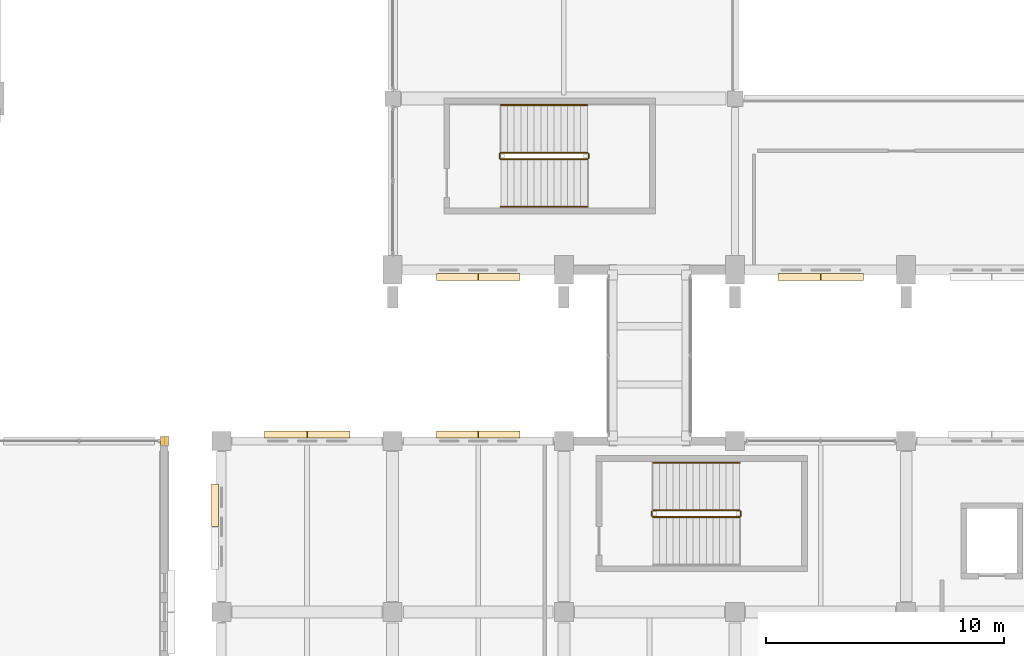
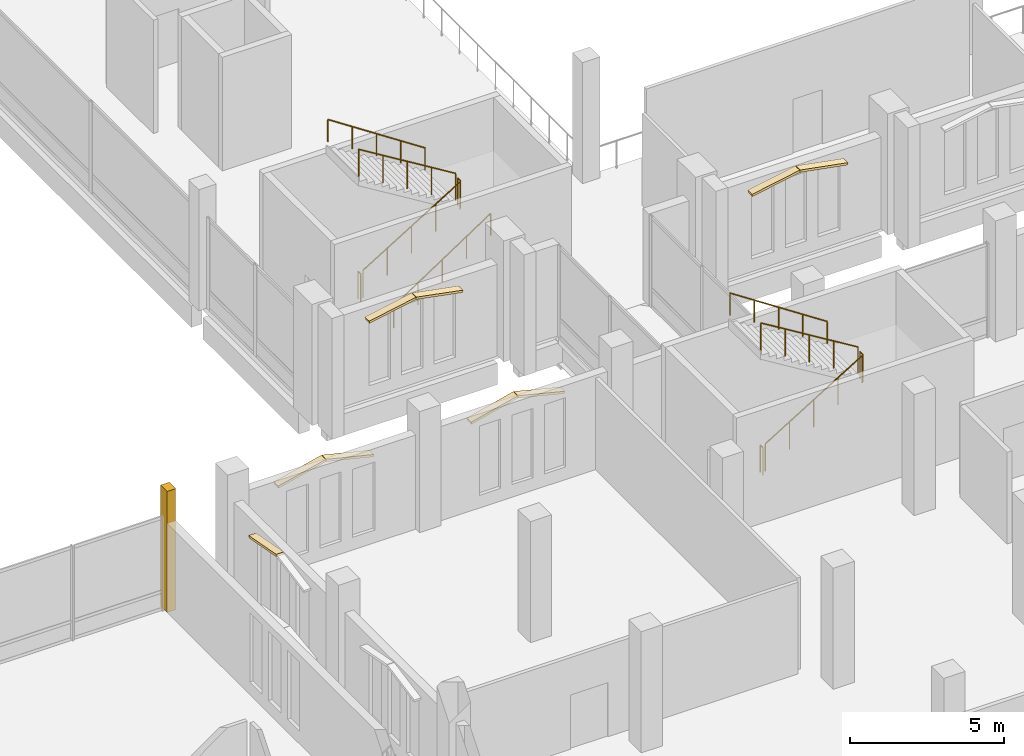
# One storey, part 206 of 220: 11 railings, 10 coverings.
"""IFC4 building model written with IfcOpenShell, lengths in metres."""

from ifc_helpers import new_model, si_unit, direction, frame, origin, origin_2d, place, context, subcontext, project, spatial, polyline, circle, outline, extrude, material, layer, layer_set, type_object, element, save


model = new_model("IFC4")

# Units and contexts
model_context = context("Model", 3, precision=1e-05, world=origin(), true_north=direction((0.0, 1.0)))
body_context = subcontext(model_context, "Body", "Model", "MODEL_VIEW")
ifc_project = project(units=[si_unit("LENGTHUNIT", "METRE"), si_unit("AREAUNIT", "SQUARE_METRE"), si_unit("VOLUMEUNIT", "CUBIC_METRE"), si_unit("PLANEANGLEUNIT", "RADIAN"), si_unit("MASSUNIT", "GRAM", prefix="KILO")], contexts=[model_context])

# Site, building, storey
site_placement = place(None, origin())
site = spatial("IfcSite", under=ifc_project, at=site_placement, CompositionType="ELEMENT")
building_placement = place(site_placement, origin())
building = spatial("IfcBuilding", under=site, at=building_placement, Name="Cendralis Lancet Convention Centre", CompositionType="ELEMENT")
storey_placement = place(building_placement, frame((0.0, 0.0, 5.39990234375)))
storey = spatial("IfcBuildingStorey", under=building, at=storey_placement, Name="L01", CompositionType="ELEMENT", Elevation=5.39990234375)

# Coverings
ifc_material_1 = material(Name="Warm buff sandstone chevron cassette", Category="masonry")
ifc_layer = layer(ifc_material_1, 0.06005859375, Name="Warm buff sandstone chevron cassette")
ifc_layer_set = layer_set([ifc_layer], Name="Warm buff sandstone chevron cassette")
covering_type = type_object("IfcCoveringType", Name="ARC-CV-CLAD1", PredefinedType="CLADDING", material=ifc_layer_set)
for number, where, z_axis, x_axis, name in (
    (1, (144.56005859375, 42.75, 3.27001953125), (0.187993527685, 0.0, 0.982170267086), (0.0, 1.0, 0.0), "L01 Gothic Pointed Lancet Hood-Mould #0101L"),
    (2, (142.7900390625, 42.75, 3.60498046875), (-0.187993527685, 0.0, 0.982170267086), (0.0, 1.0, 0.0), "L01 Gothic Pointed Lancet Hood-Mould #0102R"),
):
    element("IfcCovering", number, at=place(storey_placement, frame(where, z_axis=z_axis, x_axis=x_axis)), inside=storey, type_object=covering_type, Name=name, PredefinedType="CLADDING", context=body_context, shape_type="SweptSolid", body=[
        extrude(outline(polyline([(0.0, 0.0), (0.284912109375, 0.0), (0.284912109375, 1.7817684556784807), (0.0, 1.7817684556784807), (0.0, 0.0)])), origin(), (0.0, 0.0, -1.0), 0.090087890625),
    ])
for number, where, z_axis, x_axis, name in (
    (3, (159.0, 42.75, 3.27001953125), (0.183932374671, 0.0, 0.982938900211), (0.0, 1.0, 0.0), "L01 Gothic Pointed Lancet Hood-Mould #0103L"),
    (4, (157.18994140625, 42.75, 3.60498046875), (-0.183932374671, 0.0, 0.982938900211), (0.0, 1.0, 0.0), "L01 Gothic Pointed Lancet Hood-Mould #0104R"),
):
    element("IfcCovering", number, at=place(storey_placement, frame(where, z_axis=z_axis, x_axis=x_axis)), inside=storey, type_object=covering_type, Name=name, PredefinedType="CLADDING", context=body_context, shape_type="SweptSolid", body=[
        extrude(outline(polyline([(0.0, 0.0), (0.284912109375, 0.0), (0.284912109375, 1.8211091880847667), (0.0, 1.8211091880847667), (0.0, 0.0)])), origin(), (0.0, 0.0, -1.0), 0.090087890625),
    ])
covering_1_placement = place(storey_placement, frame((133.800048828125, 36.419921875, 3.27001953125), z_axis=(-0.236168957389, 0.0, 0.971712006495), x_axis=(0.0, -1.0, 0.0)))
element("IfcCovering", 5, at=covering_1_placement, inside=storey, type_object=covering_type, Name="L01 Gothic Pointed Lancet Hood-Mould #0323L", PredefinedType="CLADDING", context=body_context, shape_type="SweptSolid", body=[
    extrude(outline(polyline([(0.0, 0.0), (0.284912109375, 0.0), (0.284912109375, 1.8421497836146783), (0.0, 1.8421497836146783), (0.0, 0.0)])), origin(), (0.0, 0.0, -1.0), 0.090087890625),
])
covering_2_placement = place(storey_placement, frame((135.610107421875, 36.419921875, 3.705078125), z_axis=(0.236199375327, 0.0, 0.971704613087), x_axis=(0.0, -1.0, 0.0)))
element("IfcCovering", 6, at=covering_2_placement, inside=storey, type_object=covering_type, Name="L01 Gothic Pointed Lancet Hood-Mould #0324R", PredefinedType="CLADDING", context=body_context, shape_type="SweptSolid", body=[
    extrude(outline(polyline([(0.0, 0.0), (0.284912109375, 0.0), (0.284912109375, 1.84191255014055), (0.0, 1.84191255014055), (0.0, 0.0)])), origin(), (0.0, 0.0, -1.0), 0.090087890625),
])
for number, where, z_axis, x_axis, name in (
    (7, (141.0400390625, 36.419921875, 3.27001953125), (-0.241261177091, 0.0, 0.970460223002), (0.0, -1.0, 0.0), "L01 Gothic Pointed Lancet Hood-Mould #0325L"),
    (8, (142.81005859375, 36.419921875, 3.705078125), (0.241261177091, 0.0, 0.970460223002), (0.0, -1.0, 0.0), "L01 Gothic Pointed Lancet Hood-Mould #0326R"),
):
    element("IfcCovering", number, at=place(storey_placement, frame(where, z_axis=z_axis, x_axis=x_axis)), inside=storey, type_object=covering_type, Name=name, PredefinedType="CLADDING", context=body_context, shape_type="SweptSolid", body=[
        extrude(outline(polyline([(0.0, 0.0), (0.284912109375, 0.0), (0.284912109375, 1.803268138684796), (0.0, 1.803268138684796), (0.0, 0.0)])), origin(), (0.0, 0.0, -1.0), 0.090087890625),
    ])
covering_3_placement = place(storey_placement, frame((131.580078125, 32.409912109375, 3.60498046875), z_axis=(0.0, 0.183932374671, 0.982938900211), x_axis=(1.0, 0.0, 0.0)))
element("IfcCovering", 9, at=covering_3_placement, inside=storey, type_object=covering_type, Name="L01 Gothic Pointed Lancet Hood-Mould #0348R", PredefinedType="CLADDING", context=body_context, shape_type="SweptSolid", body=[
    extrude(outline(polyline([(0.0, 0.0), (0.284912109375, 0.0), (0.284912109375, 1.8211091880847667), (0.0, 1.8211091880847667), (0.0, 0.0)])), origin(), (0.0, 0.0, -1.0), 0.090087890625),
])
covering_4_placement = place(storey_placement, origin())
element("IfcCovering", 10, at=covering_4_placement, inside=storey, type_object=covering_type, Name="Exterior Column Stone Fire-Casing L01 #016", PredefinedType="CLADDING", context=body_context, shape_type="SweptSolid", body=[
    extrude(outline(polyline([(129.43798828125, 35.7880859375), (129.761962890625, 35.7880859375), (129.761962890625, 36.2119140625), (129.43798828125, 36.2119140625), (129.43798828125, 35.7880859375)])), origin(), (0.0, 0.0, 1.0), 4.800048828125),
])

# Railings
ifc_material_2 = material(Name="Steel S355", Category="steel")
railing_type_1 = type_object("IfcRailingType", Name="ARC-RL-CGD", PredefinedType="GUARDRAIL", material=ifc_material_2)
railing_1_placement = place(storey_placement, frame((143.75, 47.85009765625, 0.171630859375)))
element("IfcRailing", 11, at=railing_1_placement, inside=storey, type_object=railing_type_1, Name="L01 ST-08 stair guard 1", PredefinedType="GUARDRAIL", context=body_context, shape_type="SweptSolid", body=[
    extrude(circle(Radius=0.02392578125, at=origin_2d()), frame((0.0, 0.0, 1.076171875), z_axis=(0.852850264322, 0.0, 0.5221555579), x_axis=(0.0, 1.0, 0.0)), (0.0, 0.0, 1.0), 4.267822265625),
    extrude(circle(Radius=0.02099609375, at=origin_2d()), origin(), (0.0, 0.0, 1.0), 1.052001953125),
    extrude(circle(Radius=0.02099609375, at=origin_2d()), frame((0.909912109375, 0.0, 0.55712890625)), (0.0, 0.0, 1.0), 1.052001953125),
    extrude(circle(Radius=0.02099609375, at=origin_2d()), frame((1.81982421875, 0.0, 1.1142578125)), (0.0, 0.0, 1.0), 1.052001953125),
    extrude(circle(Radius=0.02099609375, at=origin_2d()), frame((2.72998046875, 0.0, 1.67138671875)), (0.0, 0.0, 1.0), 1.052001953125),
    extrude(circle(Radius=0.02099609375, at=origin_2d()), frame((3.639892578125, 0.0, 2.228515625)), (0.0, 0.0, 1.0), 1.052001953125),
])
railing_2_placement = place(storey_placement, frame((147.43994140625, 47.89990234375, 2.400146484375)))
element("IfcRailing", 12, at=railing_2_placement, inside=storey, type_object=railing_type_1, Name="L01 ST-08 stair guard 2", PredefinedType="GUARDRAIL", context=body_context, shape_type="SweptSolid", body=[
    extrude(circle(Radius=0.02392578125, at=origin_2d()), frame((0.0, 0.0, 1.076171875), z_axis=(0.0, 1.0, 0.0), x_axis=(-1.0, 0.0, 0.0)), (0.0, 0.0, 1.0), 0.18017578125),
    extrude(circle(Radius=0.02099609375, at=origin_2d()), origin(), (0.0, 0.0, 1.0), 1.052001953125),
    extrude(circle(Radius=0.02099609375, at=origin_2d()), frame((0.0, 0.18017578125, 0.0)), (0.0, 0.0, 1.0), 1.052001953125),
])
railing_3_placement = place(storey_placement, frame((147.389892578125, 48.1298828125, 2.571533203125)))
element("IfcRailing", 13, at=railing_3_placement, inside=storey, type_object=railing_type_1, Name="L01 ST-08 stair guard 3", PredefinedType="GUARDRAIL", context=body_context, shape_type="SweptSolid", body=[
    extrude(circle(Radius=0.02392578125, at=origin_2d()), frame((0.0, 0.0, 1.076171875), z_axis=(-0.852850264322, 0.0, 0.5221555579), x_axis=(0.0, -1.0, 0.0)), (0.0, 0.0, 1.0), 4.267822265625),
    extrude(circle(Radius=0.02099609375, at=origin_2d()), origin(), (0.0, 0.0, 1.0), 1.052001953125),
    extrude(circle(Radius=0.02099609375, at=origin_2d()), frame((-0.909912109375, 0.0, 0.55712890625)), (0.0, 0.0, 1.0), 1.052001953125),
    extrude(circle(Radius=0.02099609375, at=origin_2d()), frame((-1.81982421875, 0.0, 1.1142578125)), (0.0, 0.0, 1.0), 1.052001953125),
    extrude(circle(Radius=0.02099609375, at=origin_2d()), frame((-2.72998046875, 0.0, 1.67138671875)), (0.0, 0.0, 1.0), 1.052001953125),
    extrude(circle(Radius=0.02099609375, at=origin_2d()), frame((-3.639892578125, 0.0, 2.228515625)), (0.0, 0.0, 1.0), 1.052001953125),
])
railing_4_placement = place(storey_placement, frame((143.699951171875, 47.89990234375, 0.0)))
element("IfcRailing", 14, at=railing_4_placement, inside=storey, type_object=railing_type_1, Name="L01 ST-08 stair guard 4", PredefinedType="GUARDRAIL", context=body_context, shape_type="SweptSolid", body=[
    extrude(circle(Radius=0.02392578125, at=origin_2d()), frame((0.0, 0.0, 1.076171875), z_axis=(0.0, 1.0, 0.0), x_axis=(-1.0, 0.0, 0.0)), (0.0, 0.0, 1.0), 0.18017578125),
    extrude(circle(Radius=0.02099609375, at=origin_2d()), origin(), (0.0, 0.0, 1.0), 1.052001953125),
    extrude(circle(Radius=0.02099609375, at=origin_2d()), frame((0.0, 0.18017578125, 0.0)), (0.0, 0.0, 1.0), 1.052001953125),
])
railing_5_placement = place(storey_placement, frame((150.14990234375, 32.800048828125, 0.171630859375)))
element("IfcRailing", 15, at=railing_5_placement, inside=storey, type_object=railing_type_1, Name="L01 ST-13 stair guard 1", PredefinedType="GUARDRAIL", context=body_context, shape_type="SweptSolid", body=[
    extrude(circle(Radius=0.02392578125, at=origin_2d()), frame((0.0, 0.0, 1.076171875), z_axis=(0.852865859571, 0.0, 0.52213008492), x_axis=(0.0, 1.0, 0.0)), (0.0, 0.0, 1.0), 4.26806640625),
    extrude(circle(Radius=0.02099609375, at=origin_2d()), origin(), (0.0, 0.0, 1.0), 1.052001953125),
    extrude(circle(Radius=0.02099609375, at=origin_2d()), frame((0.91015625, 0.0, 0.55712890625)), (0.0, 0.0, 1.0), 1.052001953125),
    extrude(circle(Radius=0.02099609375, at=origin_2d()), frame((1.820068359375, 0.0, 1.1142578125)), (0.0, 0.0, 1.0), 1.052001953125),
    extrude(circle(Radius=0.02099609375, at=origin_2d()), frame((2.72998046875, 0.0, 1.67138671875)), (0.0, 0.0, 1.0), 1.052001953125),
    extrude(circle(Radius=0.02099609375, at=origin_2d()), frame((3.64013671875, 0.0, 2.228515625)), (0.0, 0.0, 1.0), 1.052001953125),
])
railing_6_placement = place(storey_placement, frame((153.840087890625, 32.85009765625, 2.400146484375)))
element("IfcRailing", 16, at=railing_6_placement, inside=storey, type_object=railing_type_1, Name="L01 ST-13 stair guard 2", PredefinedType="GUARDRAIL", context=body_context, shape_type="SweptSolid", body=[
    extrude(circle(Radius=0.02392578125, at=origin_2d()), frame((0.0, 0.0, 1.076171875), z_axis=(0.0, 1.0, 0.0), x_axis=(-1.0, 0.0, 0.0)), (0.0, 0.0, 1.0), 0.179931640625),
    extrude(circle(Radius=0.02099609375, at=origin_2d()), origin(), (0.0, 0.0, 1.0), 1.052001953125),
    extrude(circle(Radius=0.02099609375, at=origin_2d()), frame((0.0, 0.179931640625, 0.0)), (0.0, 0.0, 1.0), 1.052001953125),
])
railing_7_placement = place(storey_placement, frame((153.7900390625, 33.080078125, 2.571533203125)))
element("IfcRailing", 17, at=railing_7_placement, inside=storey, type_object=railing_type_1, Name="L01 ST-13 stair guard 3", PredefinedType="GUARDRAIL", context=body_context, shape_type="SweptSolid", body=[
    extrude(circle(Radius=0.02392578125, at=origin_2d()), frame((0.0, 0.0, 1.076171875), z_axis=(-0.852865859571, 0.0, 0.52213008492), x_axis=(0.0, -1.0, 0.0)), (0.0, 0.0, 1.0), 4.26806640625),
    extrude(circle(Radius=0.02099609375, at=origin_2d()), origin(), (0.0, 0.0, 1.0), 1.052001953125),
    extrude(circle(Radius=0.02099609375, at=origin_2d()), frame((-0.91015625, 0.0, 0.55712890625)), (0.0, 0.0, 1.0), 1.052001953125),
    extrude(circle(Radius=0.02099609375, at=origin_2d()), frame((-1.820068359375, 0.0, 1.1142578125)), (0.0, 0.0, 1.0), 1.052001953125),
    extrude(circle(Radius=0.02099609375, at=origin_2d()), frame((-2.72998046875, 0.0, 1.67138671875)), (0.0, 0.0, 1.0), 1.052001953125),
    extrude(circle(Radius=0.02099609375, at=origin_2d()), frame((-3.64013671875, 0.0, 2.228515625)), (0.0, 0.0, 1.0), 1.052001953125),
])
railing_8_placement = place(storey_placement, frame((150.10009765625, 32.85009765625, 0.0)))
element("IfcRailing", 18, at=railing_8_placement, inside=storey, type_object=railing_type_1, Name="L01 ST-13 stair guard 4", PredefinedType="GUARDRAIL", context=body_context, shape_type="SweptSolid", body=[
    extrude(circle(Radius=0.02392578125, at=origin_2d()), frame((0.0, 0.0, 1.076171875), z_axis=(0.0, 1.0, 0.0), x_axis=(-1.0, 0.0, 0.0)), (0.0, 0.0, 1.0), 0.179931640625),
    extrude(circle(Radius=0.02099609375, at=origin_2d()), origin(), (0.0, 0.0, 1.0), 1.052001953125),
    extrude(circle(Radius=0.02099609375, at=origin_2d()), frame((0.0, 0.179931640625, 0.0)), (0.0, 0.0, 1.0), 1.052001953125),
])
railing_type_2 = type_object("IfcRailingType", Name="ARC-RL-CHR", PredefinedType="HANDRAIL", material=ifc_material_2)
railing_9_placement = place(storey_placement, frame((143.75, 45.85009765625, 0.171630859375)))
element("IfcRailing", 19, at=railing_9_placement, inside=storey, type_object=railing_type_2, Name="L01 ST-08 stair handrail 1", PredefinedType="HANDRAIL", context=body_context, shape_type="SweptSolid", body=[
    extrude(circle(Radius=0.02392578125, at=origin_2d()), frame((0.0, 0.0, 0.8759765625), z_axis=(0.834865213223, 0.0, 0.550454426587), x_axis=(0.0, 1.0, 0.0)), (0.0, 0.0, 1.0), 4.35986328125),
    extrude(circle(Radius=0.02099609375, at=origin_2d()), origin(), (0.0, 0.0, 1.0), 0.851806640625),
    extrude(circle(Radius=0.02099609375, at=origin_2d()), frame((0.909912109375, 0.0, 0.60009765625)), (0.0, 0.0, 1.0), 0.851806640625),
    extrude(circle(Radius=0.02099609375, at=origin_2d()), frame((1.81982421875, 0.0, 1.199951171875)), (0.0, 0.0, 1.0), 0.851806640625),
    extrude(circle(Radius=0.02099609375, at=origin_2d()), frame((2.72998046875, 0.0, 1.7998046875)), (0.0, 0.0, 1.0), 0.851806640625),
    extrude(circle(Radius=0.02099609375, at=origin_2d()), frame((3.639892578125, 0.0, 2.39990234375)), (0.0, 0.0, 1.0), 0.851806640625),
])
railing_10_placement = place(storey_placement, frame((147.389892578125, 50.1298828125, 2.571533203125)))
element("IfcRailing", 20, at=railing_10_placement, inside=storey, type_object=railing_type_2, Name="L01 ST-08 stair handrail 2", PredefinedType="HANDRAIL", context=body_context, shape_type="SweptSolid", body=[
    extrude(circle(Radius=0.02392578125, at=origin_2d()), frame((0.0, 0.0, 0.8759765625), z_axis=(-0.834865213223, 0.0, 0.550454426587), x_axis=(0.0, -1.0, 0.0)), (0.0, 0.0, 1.0), 4.35986328125),
    extrude(circle(Radius=0.02099609375, at=origin_2d()), origin(), (0.0, 0.0, 1.0), 0.851806640625),
    extrude(circle(Radius=0.02099609375, at=origin_2d()), frame((-0.909912109375, 0.0, 0.60009765625)), (0.0, 0.0, 1.0), 0.851806640625),
    extrude(circle(Radius=0.02099609375, at=origin_2d()), frame((-1.81982421875, 0.0, 1.199951171875)), (0.0, 0.0, 1.0), 0.851806640625),
    extrude(circle(Radius=0.02099609375, at=origin_2d()), frame((-2.72998046875, 0.0, 1.7998046875)), (0.0, 0.0, 1.0), 0.851806640625),
    extrude(circle(Radius=0.02099609375, at=origin_2d()), frame((-3.639892578125, 0.0, 2.39990234375)), (0.0, 0.0, 1.0), 0.851806640625),
])
railing_11_placement = place(storey_placement, frame((153.7900390625, 35.080078125, 2.571533203125)))
element("IfcRailing", 21, at=railing_11_placement, inside=storey, type_object=railing_type_2, Name="L01 ST-13 stair handrail 2", PredefinedType="HANDRAIL", context=body_context, shape_type="SweptSolid", body=[
    extrude(circle(Radius=0.02392578125, at=origin_2d()), frame((0.0, 0.0, 0.8759765625), z_axis=(-0.83488217925, 0.0, 0.55042869363), x_axis=(0.0, -1.0, 0.0)), (0.0, 0.0, 1.0), 4.360107421875),
    extrude(circle(Radius=0.02099609375, at=origin_2d()), origin(), (0.0, 0.0, 1.0), 0.851806640625),
    extrude(circle(Radius=0.02099609375, at=origin_2d()), frame((-0.91015625, 0.0, 0.60009765625)), (0.0, 0.0, 1.0), 0.851806640625),
    extrude(circle(Radius=0.02099609375, at=origin_2d()), frame((-1.820068359375, 0.0, 1.199951171875)), (0.0, 0.0, 1.0), 0.851806640625),
    extrude(circle(Radius=0.02099609375, at=origin_2d()), frame((-2.72998046875, 0.0, 1.7998046875)), (0.0, 0.0, 1.0), 0.851806640625),
    extrude(circle(Radius=0.02099609375, at=origin_2d()), frame((-3.64013671875, 0.0, 2.39990234375)), (0.0, 0.0, 1.0), 0.851806640625),
])

save(model, "model.ifc")
